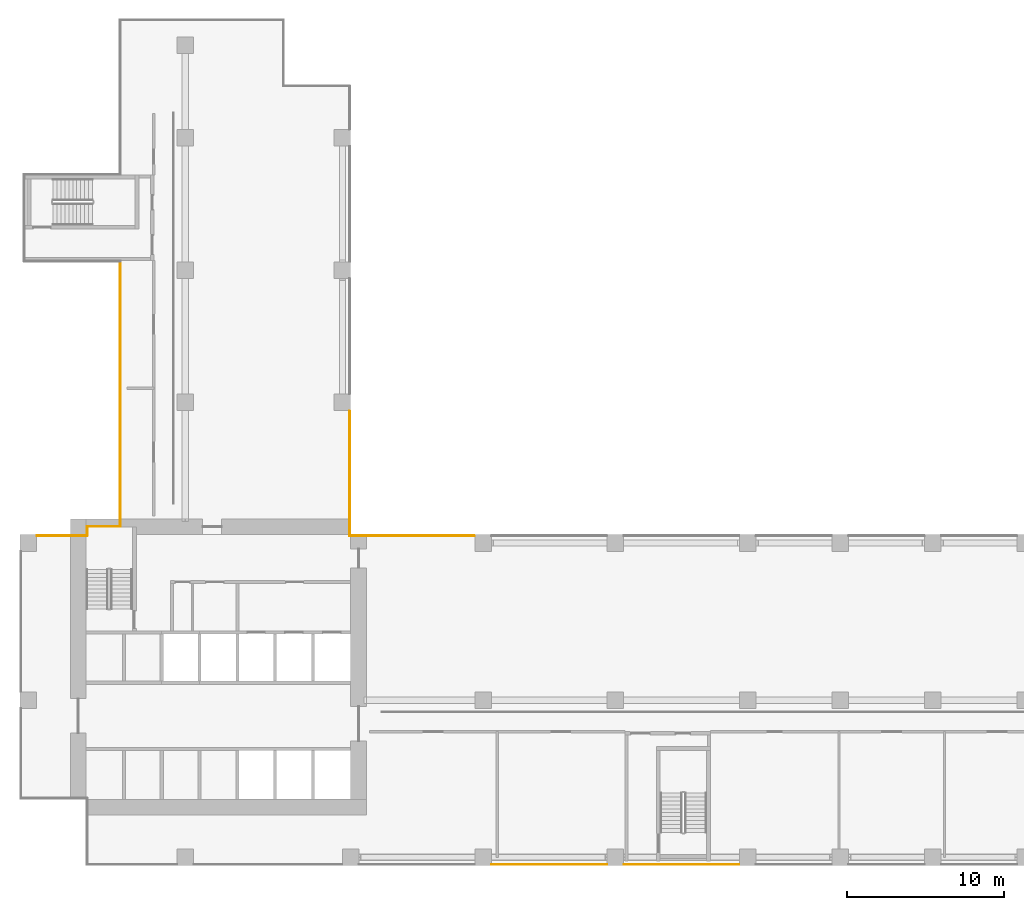
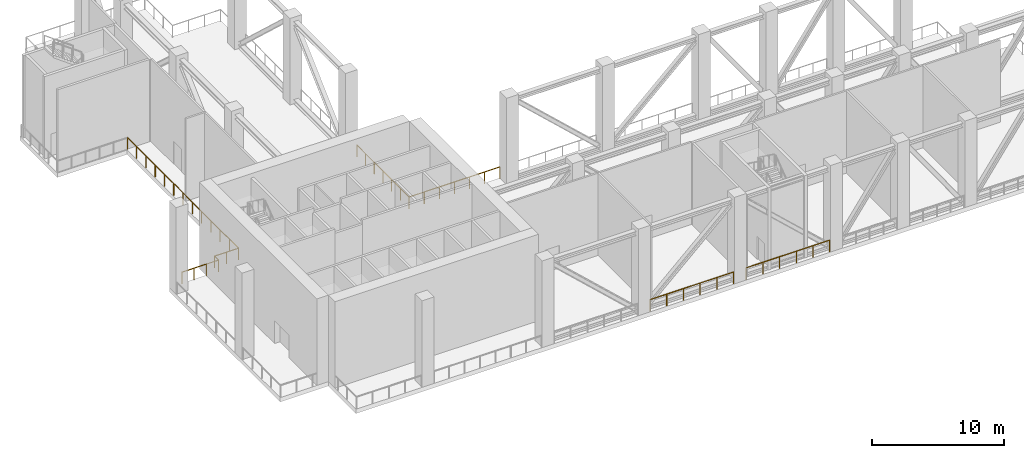
# One storey, part 6 of 10: 8 railings.
"""IFC4 building model written with IfcOpenShell, lengths in metres."""

from ifc_helpers import new_model, si_unit, direction, frame, origin, origin_2d, place, context, subcontext, project, spatial, circle, extrude, source, transform, mapped, material, type_object, element, save


model = new_model("IFC4")

# Units and contexts
model_context = context("Model", 3, precision=1e-05, world=origin(), true_north=direction((0.0, 1.0)))
body_context = subcontext(model_context, "Body", "Model", "MODEL_VIEW")
ifc_project = project(units=[si_unit("LENGTHUNIT", "METRE"), si_unit("AREAUNIT", "SQUARE_METRE"), si_unit("VOLUMEUNIT", "CUBIC_METRE"), si_unit("PLANEANGLEUNIT", "RADIAN"), si_unit("MASSUNIT", "GRAM", prefix="KILO")], contexts=[model_context])

# Site, building, storey
site_placement = place(None, origin())
site = spatial("IfcSite", under=ifc_project, at=site_placement, CompositionType="ELEMENT")
building_placement = place(site_placement, origin())
building = spatial("IfcBuilding", under=site, at=building_placement, Name="Aurelian Terraces", CompositionType="ELEMENT")
storey_placement = place(building_placement, frame((0.0, 0.0, 162.3)))
storey = spatial("IfcBuildingStorey", under=building, at=storey_placement, Name="L36", CompositionType="ELEMENT", Elevation=162.3)

# Railings
ifc_material = material(Name="Anodised aluminium", Category="aluminium")
railing_type = type_object("IfcRailingType", Name="GUARD-1100", PredefinedType="GUARDRAIL", material=ifc_material)
railing_1_placement = place(storey_placement, frame((45.655, 0.07, 0.0)))
element("IfcRailing", 1, at=railing_1_placement, inside=storey, type_object=railing_type, Name="Wind floor guard L36 9", PredefinedType="GUARDRAIL", context=body_context, shape_type="SweptSolid", body=[
    extrude(circle(Radius=0.024, at=origin_2d()), frame((0.0, 0.0, 1.076), z_axis=(-1.0, 0.0, 0.0), x_axis=(0.0, -1.0, 0.0)), (0.0, 0.0, 1.0), 7.31),
    extrude(circle(Radius=0.021, at=origin_2d()), origin(), (0.0, 0.0, 1.0), 1.052),
    extrude(circle(Radius=0.021, at=origin_2d()), frame((-1.462, 0.0, 0.0)), (0.0, 0.0, 1.0), 1.052),
    extrude(circle(Radius=0.021, at=origin_2d()), frame((-2.924, 0.0, 0.0)), (0.0, 0.0, 1.0), 1.052),
    extrude(circle(Radius=0.021, at=origin_2d()), frame((-4.386, 0.0, 0.0)), (0.0, 0.0, 1.0), 1.052),
    extrude(circle(Radius=0.021, at=origin_2d()), frame((-5.848, 0.0, 0.0)), (0.0, 0.0, 1.0), 1.052),
    extrude(circle(Radius=0.021, at=origin_2d()), frame((-7.31, 0.0, 0.0)), (0.0, 0.0, 1.0), 1.052),
])
railing_2_placement = place(storey_placement, frame((1.07, 20.93, 0.0)))
element("IfcRailing", 2, at=railing_2_placement, inside=storey, type_object=railing_type, Name="Wind floor guard L36 18", PredefinedType="GUARDRAIL", context=body_context, shape_type="SweptSolid", body=[
    extrude(circle(Radius=0.024, at=origin_2d()), frame((0.0, 0.0, 1.076), z_axis=(1.0, 0.0, 0.0), x_axis=(0.0, 1.0, 0.0)), (0.0, 0.0, 1.0), 3.2),
    extrude(circle(Radius=0.021, at=origin_2d()), origin(), (0.0, 0.0, 1.0), 1.052),
    extrude(circle(Radius=0.021, at=origin_2d()), frame((1.0667, 0.0, 0.0)), (0.0, 0.0, 1.0), 1.052),
    extrude(circle(Radius=0.021, at=origin_2d()), frame((2.1333, 0.0, 0.0)), (0.0, 0.0, 1.0), 1.052),
    extrude(circle(Radius=0.021, at=origin_2d()), frame((3.2, 0.0, 0.0)), (0.0, 0.0, 1.0), 1.052),
])
railing_3_placement = place(storey_placement, frame((4.27, 20.93, 0.0)))
element("IfcRailing", 3, at=railing_3_placement, inside=storey, type_object=railing_type, Name="Wind floor guard L36 19", PredefinedType="GUARDRAIL", context=body_context, shape_type="SweptSolid", body=[
    extrude(circle(Radius=0.024, at=origin_2d()), frame((0.0, 0.0, 1.076), z_axis=(0.0, 1.0, 0.0), x_axis=(-1.0, 0.0, 0.0)), (0.0, 0.0, 1.0), 0.6),
    extrude(circle(Radius=0.021, at=origin_2d()), origin(), (0.0, 0.0, 1.0), 1.052),
    extrude(circle(Radius=0.021, at=origin_2d()), frame((0.0, 0.6, 0.0)), (0.0, 0.0, 1.0), 1.052),
])
railing_4_placement = place(storey_placement, frame((4.27, 21.53, 0.0)))
element("IfcRailing", 4, at=railing_4_placement, inside=storey, type_object=railing_type, Name="Wind floor guard L36 20", PredefinedType="GUARDRAIL", context=body_context, shape_type="SweptSolid", body=[
    extrude(circle(Radius=0.024, at=origin_2d()), frame((0.0, 0.0, 1.076), z_axis=(1.0, 0.0, 0.0), x_axis=(0.0, 1.0, 0.0)), (0.0, 0.0, 1.0), 2.1),
    extrude(circle(Radius=0.021, at=origin_2d()), origin(), (0.0, 0.0, 1.0), 1.052),
    extrude(circle(Radius=0.021, at=origin_2d()), frame((1.05, 0.0, 0.0)), (0.0, 0.0, 1.0), 1.052),
    extrude(circle(Radius=0.021, at=origin_2d()), frame((2.1, 0.0, 0.0)), (0.0, 0.0, 1.0), 1.052),
])
railing_5_placement = place(storey_placement, frame((6.37, 21.53, 0.0)))
element("IfcRailing", 5, at=railing_5_placement, inside=storey, type_object=railing_type, Name="Wind floor guard L36 21", PredefinedType="GUARDRAIL", context=body_context, shape_type="SweptSolid", body=[
    extrude(circle(Radius=0.024, at=origin_2d()), frame((0.0, 0.0, 1.076), z_axis=(0.0, 1.0, 0.0), x_axis=(-1.0, 0.0, 0.0)), (0.0, 0.0, 1.0), 16.84),
    extrude(circle(Radius=0.021, at=origin_2d()), origin(), (0.0, 0.0, 1.0), 1.052),
    extrude(circle(Radius=0.021, at=origin_2d()), frame((0.0, 1.4033, 0.0)), (0.0, 0.0, 1.0), 1.052),
    extrude(circle(Radius=0.021, at=origin_2d()), frame((0.0, 2.8067, 0.0)), (0.0, 0.0, 1.0), 1.052),
    extrude(circle(Radius=0.021, at=origin_2d()), frame((0.0, 4.21, 0.0)), (0.0, 0.0, 1.0), 1.052),
    extrude(circle(Radius=0.021, at=origin_2d()), frame((0.0, 5.6133, 0.0)), (0.0, 0.0, 1.0), 1.052),
    extrude(circle(Radius=0.021, at=origin_2d()), frame((0.0, 7.0167, 0.0)), (0.0, 0.0, 1.0), 1.052),
    extrude(circle(Radius=0.021, at=origin_2d()), frame((0.0, 8.42, 0.0)), (0.0, 0.0, 1.0), 1.052),
    extrude(circle(Radius=0.021, at=origin_2d()), frame((0.0, 9.8233, 0.0)), (0.0, 0.0, 1.0), 1.052),
    extrude(circle(Radius=0.021, at=origin_2d()), frame((0.0, 11.2267, 0.0)), (0.0, 0.0, 1.0), 1.052),
    extrude(circle(Radius=0.021, at=origin_2d()), frame((0.0, 12.63, 0.0)), (0.0, 0.0, 1.0), 1.052),
    extrude(circle(Radius=0.021, at=origin_2d()), frame((0.0, 14.0333, 0.0)), (0.0, 0.0, 1.0), 1.052),
    extrude(circle(Radius=0.021, at=origin_2d()), frame((0.0, 15.4367, 0.0)), (0.0, 0.0, 1.0), 1.052),
    extrude(circle(Radius=0.021, at=origin_2d()), frame((0.0, 16.84, 0.0)), (0.0, 0.0, 1.0), 1.052),
])
railing_6_placement = place(storey_placement, frame((20.93, 28.855, 0.0)))
element("IfcRailing", 6, at=railing_6_placement, inside=storey, type_object=railing_type, Name="Wind floor guard L36 32", PredefinedType="GUARDRAIL", context=body_context, shape_type="SweptSolid", body=[
    extrude(circle(Radius=0.024, at=origin_2d()), frame((0.0, 0.0, 1.076), z_axis=(0.0, -1.0, 0.0), x_axis=(1.0, 0.0, 0.0)), (0.0, 0.0, 1.0), 7.925),
    extrude(circle(Radius=0.021, at=origin_2d()), origin(), (0.0, 0.0, 1.0), 1.052),
    extrude(circle(Radius=0.021, at=origin_2d()), frame((0.0, -1.3208, 0.0)), (0.0, 0.0, 1.0), 1.052),
    extrude(circle(Radius=0.021, at=origin_2d()), frame((0.0, -2.6417, 0.0)), (0.0, 0.0, 1.0), 1.052),
    extrude(circle(Radius=0.021, at=origin_2d()), frame((0.0, -3.9625, 0.0)), (0.0, 0.0, 1.0), 1.052),
    extrude(circle(Radius=0.021, at=origin_2d()), frame((0.0, -5.2833, 0.0)), (0.0, 0.0, 1.0), 1.052),
    extrude(circle(Radius=0.021, at=origin_2d()), frame((0.0, -6.6042, 0.0)), (0.0, 0.0, 1.0), 1.052),
    extrude(circle(Radius=0.021, at=origin_2d()), frame((0.0, -7.925, 0.0)), (0.0, 0.0, 1.0), 1.052),
])
railing_7_placement = place(storey_placement, frame((20.93, 20.93, 0.0)))
element("IfcRailing", 7, at=railing_7_placement, inside=storey, type_object=railing_type, Name="Wind floor guard L36 33", PredefinedType="GUARDRAIL", context=body_context, shape_type="SweptSolid", body=[
    extrude(circle(Radius=0.024, at=origin_2d()), frame((0.0, 0.0, 1.076), z_axis=(1.0, 0.0, 0.0), x_axis=(0.0, 1.0, 0.0)), (0.0, 0.0, 1.0), 7.925),
    extrude(circle(Radius=0.021, at=origin_2d()), origin(), (0.0, 0.0, 1.0), 1.052),
    extrude(circle(Radius=0.021, at=origin_2d()), frame((1.3208, 0.0, 0.0)), (0.0, 0.0, 1.0), 1.052),
    extrude(circle(Radius=0.021, at=origin_2d()), frame((2.6417, 0.0, 0.0)), (0.0, 0.0, 1.0), 1.052),
    extrude(circle(Radius=0.021, at=origin_2d()), frame((3.9625, 0.0, 0.0)), (0.0, 0.0, 1.0), 1.052),
    extrude(circle(Radius=0.021, at=origin_2d()), frame((5.2833, 0.0, 0.0)), (0.0, 0.0, 1.0), 1.052),
    extrude(circle(Radius=0.021, at=origin_2d()), frame((6.6042, 0.0, 0.0)), (0.0, 0.0, 1.0), 1.052),
    extrude(circle(Radius=0.021, at=origin_2d()), frame((7.925, 0.0, 0.0)), (0.0, 0.0, 1.0), 1.052),
])
shared_shape = source(origin(), body_context, "Body", "SweptSolid", [
    extrude(circle(Radius=0.024, at=origin_2d()), frame((0.0, 0.0, 1.076), z_axis=(-1.0, 0.0, 0.0), x_axis=(0.0, -1.0, 0.0)), (0.0, 0.0, 1.0), 7.31),
    extrude(circle(Radius=0.021, at=origin_2d()), origin(), (0.0, 0.0, 1.0), 1.052),
    extrude(circle(Radius=0.021, at=origin_2d()), frame((-1.462, 0.0, 0.0)), (0.0, 0.0, 1.0), 1.052),
    extrude(circle(Radius=0.021, at=origin_2d()), frame((-2.924, 0.0, 0.0)), (0.0, 0.0, 1.0), 1.052),
    extrude(circle(Radius=0.021, at=origin_2d()), frame((-4.386, 0.0, 0.0)), (0.0, 0.0, 1.0), 1.052),
    extrude(circle(Radius=0.021, at=origin_2d()), frame((-5.848, 0.0, 0.0)), (0.0, 0.0, 1.0), 1.052),
    extrude(circle(Radius=0.021, at=origin_2d()), frame((-7.31, 0.0, 0.0)), (0.0, 0.0, 1.0), 1.052),
])
railing_8_placement = place(storey_placement, frame((37.255, 0.07, 0.0)))
element("IfcRailing", 8, at=railing_8_placement, inside=storey, type_object=railing_type, Name="Wind floor guard L36 10", PredefinedType="GUARDRAIL", context=body_context, shape_type="MappedRepresentation", body=[
    mapped(shared_shape, transform((0.0, 0.0, 0.0), scale=1.0)),
])

save(model, "model.ifc")
